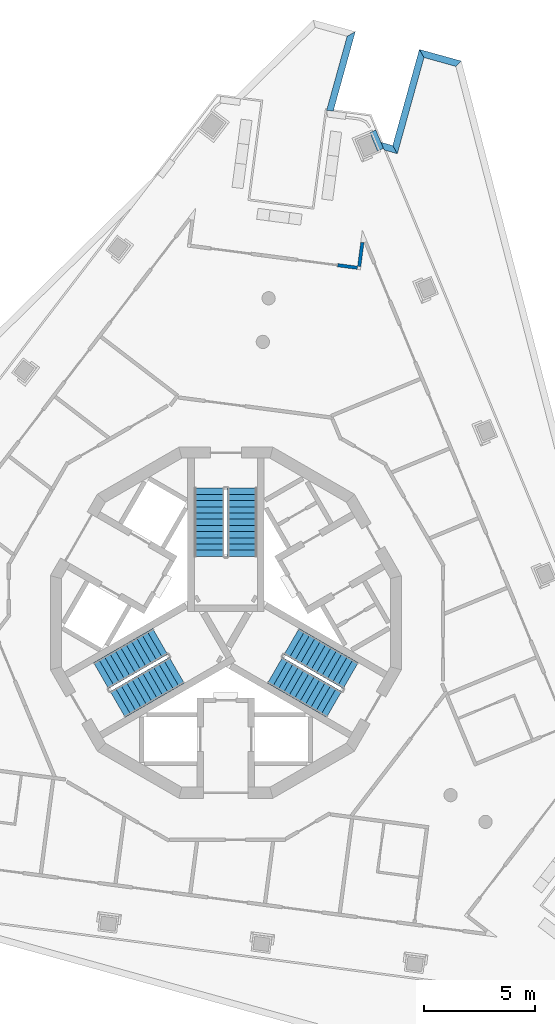
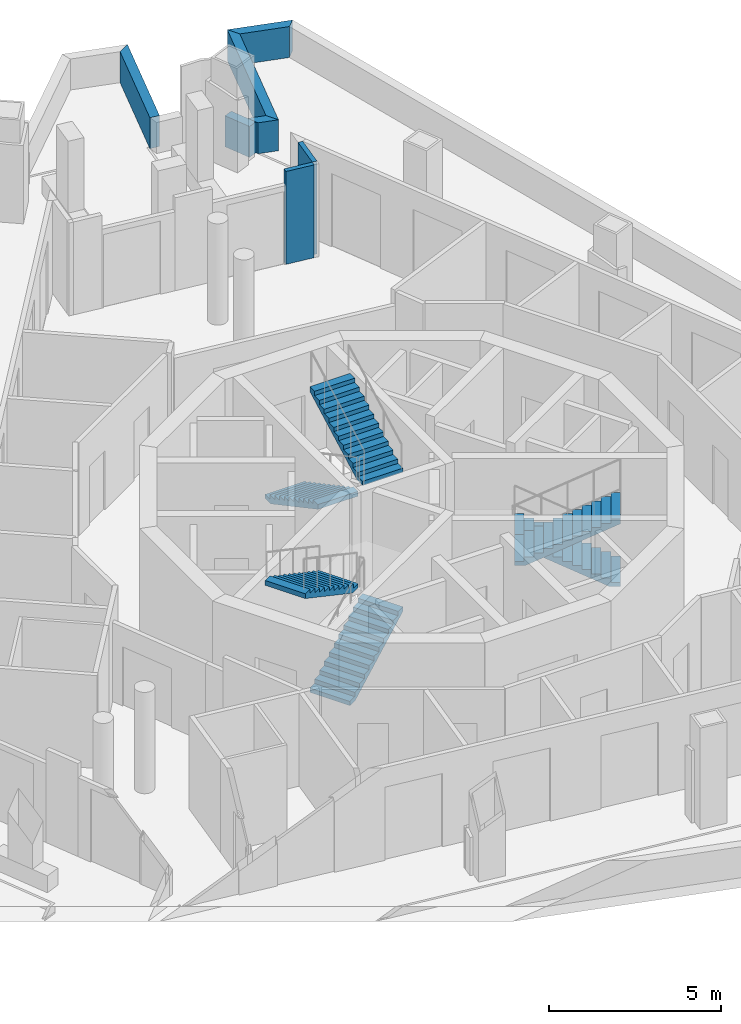
# One storey, part 7 of 12: 7 walls, 6 stair flights, 3 elements without a shape of their own.
"""IFC4 building model written with IfcOpenShell, lengths in metres."""

from ifc_helpers import new_model, si_unit, direction, frame, origin, place, context, subcontext, project, spatial, polyline, outline, extrude, material, layer, layer_set, type_object, element, aggregate, save


model = new_model("IFC4")

# Units and contexts
model_context = context("Model", 3, precision=1e-05, world=origin(), true_north=direction((0.0, 1.0)))
body_context = subcontext(model_context, "Body", "Model", "MODEL_VIEW")
ifc_project = project(units=[si_unit("LENGTHUNIT", "METRE"), si_unit("AREAUNIT", "SQUARE_METRE"), si_unit("VOLUMEUNIT", "CUBIC_METRE"), si_unit("PLANEANGLEUNIT", "RADIAN"), si_unit("MASSUNIT", "GRAM", prefix="KILO")], contexts=[model_context])

# Site, building, storey
site_placement = place(None, origin())
site = spatial("IfcSite", under=ifc_project, at=site_placement, CompositionType="ELEMENT")
building_placement = place(site_placement, origin())
building = spatial("IfcBuilding", under=site, at=building_placement, Name="Trine Commons Tower", CompositionType="ELEMENT")
storey_placement = place(building_placement, frame((0.0, 0.0, 271.800048828125)))
storey = spatial("IfcBuildingStorey", under=building, at=storey_placement, Name="L71", CompositionType="ELEMENT", Elevation=271.800048828125)

# Walls
ifc_material_1 = material(Name="Aluminium-framed insulated wall panel", Category="aluminium")
ifc_layer_1 = layer(ifc_material_1, 0.14990234375)
ifc_layer_set_1 = layer_set([ifc_layer_1], Name="Aluminium-framed insulated wall panel")
wall_type_1 = type_object("IfcWallType", Name="Glazed frame wall 150, EI 60", PredefinedType="SOLIDWALL", material=ifc_layer_set_1)
wall_1_placement = place(storey_placement, frame((85.04833984375, 78.628173828125, 0.0), z_axis=(0.0, 0.0, 1.0), x_axis=(0.991465094935, -0.130372410907, 0.0)))
element("IfcWall", 1, at=wall_1_placement, inside=storey, type_object=wall_type_1, Name="Glazed frame wall P1.5", PredefinedType="SOLIDWALL", context=body_context, shape_type="SweptSolid", body=[
    extrude(outline(polyline([(0.889892578125, 0.074951171875), (0.0, 0.074951171875), (0.0, -0.074951171875), (0.889892578125, -0.074951171875), (0.889892578125, 0.074951171875)])), origin(), (0.0, 0.0, 1.0), 3.300048828125),
])
wall_2_placement = place(storey_placement, frame((86.00048828125, 78.467529296875, 0.0), z_axis=(0.0, 0.0, 1.0), x_axis=(0.130510858064, 0.991446880033, 0.0)))
element("IfcWall", 2, at=wall_2_placement, inside=storey, type_object=wall_type_1, Name="Glazed frame wall R4", PredefinedType="SOLIDWALL", context=body_context, shape_type="SweptSolid", body=[
    extrude(outline(polyline([(0.110107421875, 0.074951171875), (0.110107421875, -0.074951171875), (1.19580078125, -0.074951171875), (1.19580078125, 0.074951171875), (0.110107421875, 0.074951171875)])), origin(), (0.0, 0.0, 1.0), 3.300048828125),
])
ifc_material_2 = material(Name="Limestone, honed", Category="masonry")
ifc_layer_2 = layer(ifc_material_2, 0.300048828125)
ifc_layer_set_2 = layer_set([ifc_layer_2], Name="Limestone, honed")
wall_type_2 = type_object("IfcWallType", Name="Stone parapet 300", PredefinedType="PARAPET", material=ifc_layer_set_2)
wall_3_placement = place(storey_placement, origin())
element("IfcWall", 3, at=wall_3_placement, inside=storey, type_object=wall_type_2, Name="Sliver roof parapet L70 3.1", PredefinedType="PARAPET", context=body_context, shape_type="SweptSolid", body=[
    extrude(outline(polyline([(84.843994140625, 85.579345703125), (85.838134765625, 89.1650390625), (85.468994140625, 88.9560546875), (84.543701171875, 85.618896484375), (84.556396484375, 85.6171875), (84.843994140625, 85.579345703125)])), origin(), (0.0, 0.0, 1.0), 1.099853515625),
])
wall_4_placement = place(storey_placement, origin())
element("IfcWall", 4, at=wall_4_placement, inside=storey, type_object=wall_type_2, Name="Sliver roof parapet L70 5.2", PredefinedType="PARAPET", context=body_context, shape_type="SweptSolid", body=[
    extrude(outline(polyline([(90.621826171875, 87.83837890625), (88.72900390625, 88.36328125), (88.93798828125, 87.993896484375), (90.374755859375, 87.595703125), (90.621826171875, 87.83837890625)])), origin(), (0.0, 0.0, 1.0), 1.099853515625),
])
wall_5_placement = place(storey_placement, origin())
element("IfcWall", 5, at=wall_5_placement, inside=storey, type_object=wall_type_2, Name="Sliver roof parapet L70 5.3", PredefinedType="PARAPET", context=body_context, shape_type="SweptSolid", body=[
    extrude(outline(polyline([(88.72900390625, 88.36328125), (87.526611328125, 84.02685546875), (87.735595703125, 83.65771484375), (88.93798828125, 87.993896484375), (88.72900390625, 88.36328125)])), origin(), (0.0, 0.0, 1.0), 1.099853515625),
])
wall_6_placement = place(storey_placement, origin())
element("IfcWall", 6, at=wall_6_placement, inside=storey, type_object=wall_type_2, Name="Sliver roof parapet L70 5.4", PredefinedType="PARAPET", context=body_context, shape_type="SweptSolid", body=[
    extrude(outline(polyline([(87.526611328125, 84.02685546875), (86.9951171875, 84.17431640625), (87.140869140625, 83.822509765625), (87.735595703125, 83.65771484375), (87.526611328125, 84.02685546875)])), origin(), (0.0, 0.0, 1.0), 1.099853515625),
])
wall_7_placement = place(storey_placement, origin())
element("IfcWall", 7, at=wall_7_placement, inside=storey, type_object=wall_type_2, Name="Sliver roof parapet extension L70 5.X2", PredefinedType="PARAPET", context=body_context, shape_type="SweptSolid", body=[
    extrude(outline(polyline([(86.765380859375, 84.728515625), (86.48828125, 84.61376953125), (86.832763671875, 83.7822265625), (87.110107421875, 83.897216796875), (86.95068359375, 84.28173828125), (86.765380859375, 84.728515625)])), origin(), (0.0, 0.0, 1.0), 1.099853515625),
])

# Stair, stair flights
ifc_material_3 = material(Name="Concrete C50/60", Category="concrete")
stair_type = type_object("IfcStairType", Name="Exit stair, dog-leg, 24 risers of 150 mm", PredefinedType="HALF_TURN_STAIR", material=ifc_material_3)
stair_1_placement = place(storey_placement, origin())
stair_1 = element("IfcStair", 8, at=stair_1_placement, inside=storey, type_object=stair_type, Name="L71 Exit stair ST1D", PredefinedType="HALF_TURN_STAIR")
stair_flight_type = type_object("IfcStairFlightType", Name="Stair flight, 1350 wide, 12 risers of 150 mm", PredefinedType="STRAIGHT", material=ifc_material_3)
stair_flight_1_placement = place(storey_placement, frame((79.25, 68.570556640625, 0.0), z_axis=(0.0, 0.0, 1.0), x_axis=(0.0, -1.0, 0.0)))
stair_flight_1 = element("IfcStairFlight", 9, at=stair_flight_1_placement, type_object=stair_flight_type, Name="ST1D flight 1", NumberOfRisers=12, NumberOfTreads=11, PredefinedType="STRAIGHT", RiserHeight=0.15, TreadLength=0.28, context=body_context, shape_type="SweptSolid", body=[
    extrude(outline(polyline([(0.0, 0.0), (0.0, 0.14990234375), (0.280029296875, 0.14990234375), (0.280029296875, 0.300048828125), (0.56005859375, 0.300048828125), (0.56005859375, 0.449951171875), (0.840087890625, 0.449951171875), (0.840087890625, 0.60009765625), (1.1201171875, 0.60009765625), (1.1201171875, 0.75), (1.39990234375, 0.75), (1.39990234375, 0.89990234375), (1.679931640625, 0.89990234375), (1.679931640625, 1.050048828125), (1.9599609375, 1.050048828125), (1.9599609375, 1.199951171875), (2.239990234375, 1.199951171875), (2.239990234375, 1.35009765625), (2.52001953125, 1.35009765625), (2.52001953125, 1.5), (2.800048828125, 1.5), (2.800048828125, 1.64990234375), (3.080078125, 1.64990234375), (3.080078125, 1.800048828125), (3.080078125, 1.47998046875), (0.3173828125, 0.0), (0.0, 0.0)])), frame((0.0, 0.675048828125, 0.0), z_axis=(0.0, -1.0, 0.0), x_axis=(1.0, 0.0, 0.0)), (0.0, 0.0, 1.0), 1.35009765625),
])
stair_flight_2_placement = place(storey_placement, frame((80.75, 65.490478515625, 1.800048828125), z_axis=(0.0, 0.0, 1.0), x_axis=(0.0, 1.0, 0.0)))
stair_flight_2 = element("IfcStairFlight", 10, at=stair_flight_2_placement, type_object=stair_flight_type, Name="ST1D flight 2", NumberOfRisers=12, NumberOfTreads=11, PredefinedType="STRAIGHT", RiserHeight=0.15, TreadLength=0.28, context=body_context, shape_type="SweptSolid", body=[
    extrude(outline(polyline([(0.0, 0.0), (0.0, 0.14990234375), (0.280029296875, 0.14990234375), (0.280029296875, 0.300048828125), (0.56005859375, 0.300048828125), (0.56005859375, 0.449951171875), (0.840087890625, 0.449951171875), (0.840087890625, 0.60009765625), (1.1201171875, 0.60009765625), (1.1201171875, 0.75), (1.39990234375, 0.75), (1.39990234375, 0.89990234375), (1.679931640625, 0.89990234375), (1.679931640625, 1.050048828125), (1.9599609375, 1.050048828125), (1.9599609375, 1.199951171875), (2.239990234375, 1.199951171875), (2.239990234375, 1.35009765625), (2.52001953125, 1.35009765625), (2.52001953125, 1.5), (2.800048828125, 1.5), (2.800048828125, 1.64990234375), (3.080078125, 1.64990234375), (3.080078125, 1.800048828125), (3.080078125, 1.47998046875), (0.3173828125, 0.0), (0.0, 0.0)])), frame((0.0, 0.675048828125, 0.0), z_axis=(0.0, -1.0, 0.0), x_axis=(1.0, 0.0, 0.0)), (0.0, 0.0, 1.0), 1.35009765625),
])
aggregate(stair_1, [stair_flight_1, stair_flight_2])

stair_2_placement = place(storey_placement, origin())
stair_2 = element("IfcStair", 11, at=stair_2_placement, inside=storey, type_object=stair_type, Name="L71 Exit stair ST2D", PredefinedType="HALF_TURN_STAIR")
stair_flight_3_placement = place(storey_placement, frame((75.11767578125, 58.815185546875, 0.0), z_axis=(0.0, 0.0, 1.0), x_axis=(0.866025403784, 0.5, 0.0)))
stair_flight_3 = element("IfcStairFlight", 12, at=stair_flight_3_placement, type_object=stair_flight_type, Name="ST2D flight 1", NumberOfRisers=12, NumberOfTreads=11, PredefinedType="STRAIGHT", RiserHeight=0.15, TreadLength=0.28, context=body_context, shape_type="SweptSolid", body=[
    extrude(outline(polyline([(0.0, 0.0), (0.0, 0.14990234375), (0.280029296875, 0.14990234375), (0.280029296875, 0.300048828125), (0.56005859375, 0.300048828125), (0.56005859375, 0.449951171875), (0.840087890625, 0.449951171875), (0.840087890625, 0.60009765625), (1.1201171875, 0.60009765625), (1.1201171875, 0.75), (1.39990234375, 0.75), (1.39990234375, 0.89990234375), (1.679931640625, 0.89990234375), (1.679931640625, 1.050048828125), (1.9599609375, 1.050048828125), (1.9599609375, 1.199951171875), (2.239990234375, 1.199951171875), (2.239990234375, 1.35009765625), (2.52001953125, 1.35009765625), (2.52001953125, 1.5), (2.800048828125, 1.5), (2.800048828125, 1.64990234375), (3.080078125, 1.64990234375), (3.080078125, 1.800048828125), (3.080078125, 1.47998046875), (0.3173828125, 0.0), (0.0, 0.0)])), frame((0.0, 0.675048828125, 0.0), z_axis=(0.0, -1.0, 0.0), x_axis=(1.0, 0.0, 0.0)), (0.0, 0.0, 1.0), 1.35009765625),
])
stair_flight_4_placement = place(storey_placement, frame((77.03515625, 61.654296875, 1.800048828125), z_axis=(0.0, 0.0, 1.0), x_axis=(-0.866025403784, -0.5, 0.0)))
stair_flight_4 = element("IfcStairFlight", 13, at=stair_flight_4_placement, type_object=stair_flight_type, Name="ST2D flight 2", NumberOfRisers=12, NumberOfTreads=11, PredefinedType="STRAIGHT", RiserHeight=0.15, TreadLength=0.28, context=body_context, shape_type="SweptSolid", body=[
    extrude(outline(polyline([(0.0, 0.0), (0.0, 0.14990234375), (0.280029296875, 0.14990234375), (0.280029296875, 0.300048828125), (0.56005859375, 0.300048828125), (0.56005859375, 0.449951171875), (0.840087890625, 0.449951171875), (0.840087890625, 0.60009765625), (1.1201171875, 0.60009765625), (1.1201171875, 0.75), (1.39990234375, 0.75), (1.39990234375, 0.89990234375), (1.679931640625, 0.89990234375), (1.679931640625, 1.050048828125), (1.9599609375, 1.050048828125), (1.9599609375, 1.199951171875), (2.239990234375, 1.199951171875), (2.239990234375, 1.35009765625), (2.52001953125, 1.35009765625), (2.52001953125, 1.5), (2.800048828125, 1.5), (2.800048828125, 1.64990234375), (3.080078125, 1.64990234375), (3.080078125, 1.800048828125), (3.080078125, 1.47998046875), (0.3173828125, 0.0), (0.0, 0.0)])), frame((0.0, 0.675048828125, 0.0), z_axis=(0.0, -1.0, 0.0), x_axis=(1.0, 0.0, 0.0)), (0.0, 0.0, 1.0), 1.35009765625),
])
aggregate(stair_2, [stair_flight_3, stair_flight_4])

stair_3_placement = place(storey_placement, origin())
stair_3 = element("IfcStair", 14, at=stair_3_placement, inside=storey, type_object=stair_type, Name="L71 Exit stair ST3D", PredefinedType="HALF_TURN_STAIR")
stair_flight_5_placement = place(storey_placement, frame((85.63232421875, 60.1142578125, 0.0), z_axis=(0.0, 0.0, 1.0), x_axis=(-0.866025403784, 0.5, 0.0)))
stair_flight_5 = element("IfcStairFlight", 15, at=stair_flight_5_placement, type_object=stair_flight_type, Name="ST3D flight 1", NumberOfRisers=12, NumberOfTreads=11, PredefinedType="STRAIGHT", RiserHeight=0.15, TreadLength=0.28, context=body_context, shape_type="SweptSolid", body=[
    extrude(outline(polyline([(0.0, 0.0), (0.0, 0.14990234375), (0.280029296875, 0.14990234375), (0.280029296875, 0.300048828125), (0.56005859375, 0.300048828125), (0.56005859375, 0.449951171875), (0.840087890625, 0.449951171875), (0.840087890625, 0.60009765625), (1.1201171875, 0.60009765625), (1.1201171875, 0.75), (1.39990234375, 0.75), (1.39990234375, 0.89990234375), (1.679931640625, 0.89990234375), (1.679931640625, 1.050048828125), (1.9599609375, 1.050048828125), (1.9599609375, 1.199951171875), (2.239990234375, 1.199951171875), (2.239990234375, 1.35009765625), (2.52001953125, 1.35009765625), (2.52001953125, 1.5), (2.800048828125, 1.5), (2.800048828125, 1.64990234375), (3.080078125, 1.64990234375), (3.080078125, 1.800048828125), (3.080078125, 1.47998046875), (0.3173828125, 0.0), (0.0, 0.0)])), frame((0.0, 0.675048828125, 0.0), z_axis=(0.0, -1.0, 0.0), x_axis=(1.0, 0.0, 0.0)), (0.0, 0.0, 1.0), 1.35009765625),
])
stair_flight_6_placement = place(storey_placement, frame((82.21484375, 60.355224609375, 1.800048828125), z_axis=(0.0, 0.0, 1.0), x_axis=(0.866025403784, -0.5, 0.0)))
stair_flight_6 = element("IfcStairFlight", 16, at=stair_flight_6_placement, type_object=stair_flight_type, Name="ST3D flight 2", NumberOfRisers=12, NumberOfTreads=11, PredefinedType="STRAIGHT", RiserHeight=0.15, TreadLength=0.28, context=body_context, shape_type="SweptSolid", body=[
    extrude(outline(polyline([(0.0, 0.0), (0.0, 0.14990234375), (0.280029296875, 0.14990234375), (0.280029296875, 0.300048828125), (0.56005859375, 0.300048828125), (0.56005859375, 0.449951171875), (0.840087890625, 0.449951171875), (0.840087890625, 0.60009765625), (1.1201171875, 0.60009765625), (1.1201171875, 0.75), (1.39990234375, 0.75), (1.39990234375, 0.89990234375), (1.679931640625, 0.89990234375), (1.679931640625, 1.050048828125), (1.9599609375, 1.050048828125), (1.9599609375, 1.199951171875), (2.239990234375, 1.199951171875), (2.239990234375, 1.35009765625), (2.52001953125, 1.35009765625), (2.52001953125, 1.5), (2.800048828125, 1.5), (2.800048828125, 1.64990234375), (3.080078125, 1.64990234375), (3.080078125, 1.800048828125), (3.080078125, 1.47998046875), (0.3173828125, 0.0), (0.0, 0.0)])), frame((0.0, 0.675048828125, 0.0), z_axis=(0.0, -1.0, 0.0), x_axis=(1.0, 0.0, 0.0)), (0.0, 0.0, 1.0), 1.35009765625),
])
aggregate(stair_3, [stair_flight_5, stair_flight_6])

save(model, "model.ifc")
